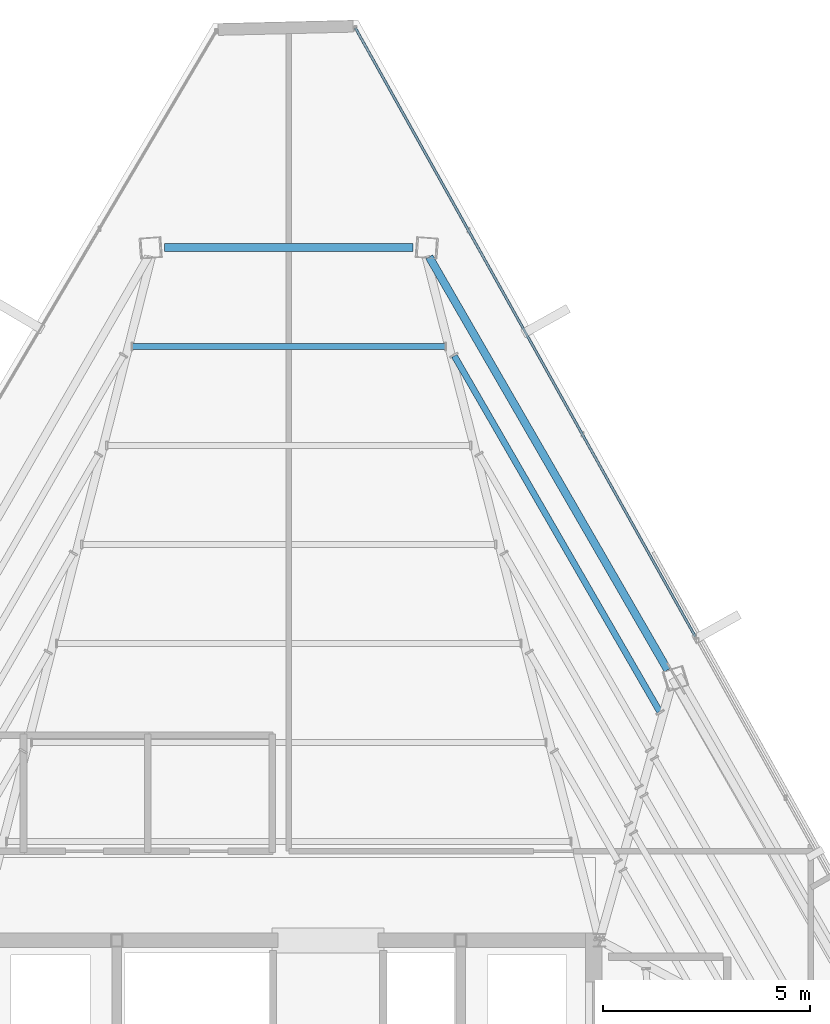
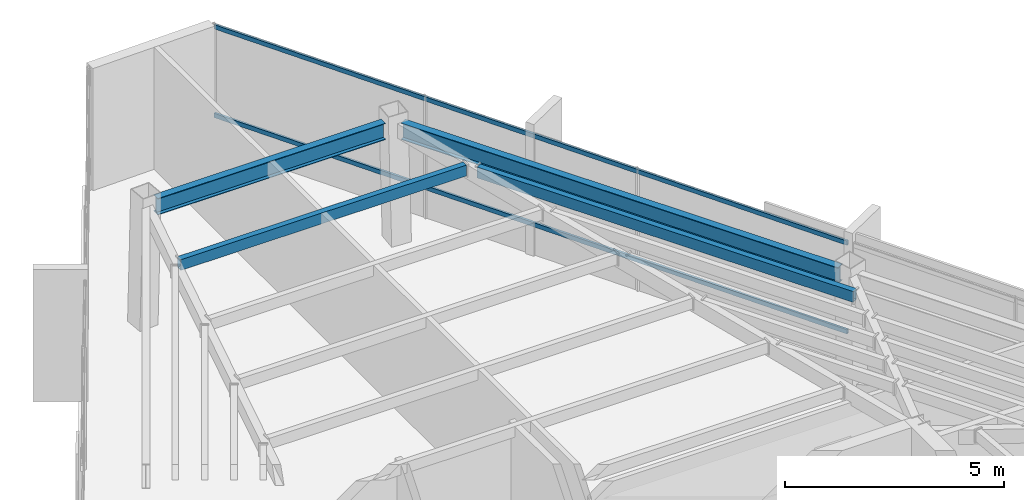
# One storey, part 36 of 48: 4 beams, 2 members, 1 element without a shape of its own.
"""IFC4 building model written with IfcOpenShell, lengths in metres."""

from ifc_helpers import new_model, si_unit, direction, frame, origin, origin_2d, place, context, subcontext, project, spatial, hollow_rectangle, i_section, extrude, source, transform, mapped, material, material_profile, profile_set, type_object, type_shapes, element, aggregate, save


model = new_model("IFC4")

# Units and contexts
model_context = context("Model", 3, precision=1e-05, world=origin(), true_north=direction((0.0, 1.0)))
body_context = subcontext(model_context, "Body", "Model", "MODEL_VIEW")
ifc_project = project(units=[si_unit("LENGTHUNIT", "METRE"), si_unit("AREAUNIT", "SQUARE_METRE"), si_unit("VOLUMEUNIT", "CUBIC_METRE"), si_unit("PLANEANGLEUNIT", "RADIAN"), si_unit("MASSUNIT", "GRAM", prefix="KILO")], contexts=[model_context])

# Site, building, storey
site_placement = place(None, origin())
site = spatial("IfcSite", under=ifc_project, at=site_placement, CompositionType="ELEMENT")
building_placement = place(site_placement, origin())
building = spatial("IfcBuilding", under=site, at=building_placement, Name="Caelisora Broadcast Tower", CompositionType="ELEMENT")
storey_placement = place(building_placement, frame((0.0, 0.0, 277.300048828125)))
storey = spatial("IfcBuildingStorey", under=building, at=storey_placement, Name="L73", CompositionType="ELEMENT", Elevation=277.300048828125)

# Beams
ifc_material_1 = material(Name="Steel Grade 350 (AS/NZS 3679.1)", Category="steel")
ifc_material_profile_1 = material_profile(ifc_material_1, i_section(OverallWidth=0.19091796875, OverallDepth=0.46044921875, WebThickness=0.010009765625, FlangeThickness=0.01611328125, at=origin_2d()), Name="Steel Grade 350 (AS/NZS 3679.1)")
ifc_profile_set_1 = profile_set([ifc_material_profile_1], Name="Steel Grade 350 (AS/NZS 3679.1)")
beam_type_1 = type_object("IfcBeamType", Name="PG06", PredefinedType="BEAM", material=ifc_profile_set_1)
shared_shape_1 = source(origin(), body_context, "Body", "SweptSolid", [
    extrude(i_section(OverallWidth=0.19091796875, OverallDepth=0.46044921875, WebThickness=0.010009765625, FlangeThickness=0.01611328125, at=origin_2d()), origin(), (0.0, 0.0, 1.0), 5.9990234375),
])
beam_1_placement = place(storey_placement, frame((40.99951171875, 46.718017578125, 3.169677734375), z_axis=(-1.0, 0.0, 0.0), x_axis=(0.0, -1.0, 0.0)))
element("IfcBeam", 1, at=beam_1_placement, inside=storey, type_object=beam_type_1, Name="L73 beam PG06", PredefinedType="BEAM", context=body_context, shape_type="MappedRepresentation", body=[
    mapped(shared_shape_1, transform((0.0, 0.0, 0.0), scale=1.0)),
])
shared_shape_2 = source(origin(), body_context, "Body", "SweptSolid", [
    extrude(i_section(OverallWidth=0.19091796875, OverallDepth=0.46044921875, WebThickness=0.010009765625, FlangeThickness=0.01611328125, at=origin_2d()), origin(), (0.0, 0.0, 1.0), 11.509521484375),
])
type_shapes(beam_type_1, [shared_shape_1, shared_shape_2])
beam_2_placement = place(storey_placement, frame((47.144287109375, 36.525146484375, 3.169677734375), z_axis=(-0.4999923725, 0.866029807479, 0.0), x_axis=(-0.866029807479, -0.4999923725, 0.0)))
element("IfcBeam", 2, at=beam_2_placement, inside=storey, type_object=beam_type_1, Name="L73 beam PG06", PredefinedType="BEAM", context=body_context, shape_type="MappedRepresentation", body=[
    mapped(shared_shape_2, transform((0.0, 0.0, 0.0), scale=1.0)),
])
ifc_material_2 = material(Name="Steel Grade 350 (AS/NZS 1163 C350L0)", Category="steel")
ifc_material_profile_2 = material_profile(ifc_material_2, hollow_rectangle(XDim=0.14990234375, YDim=0.300048828125, WallThickness=0.010009765625, at=origin_2d()), Name="Steel Grade 350 (AS/NZS 1163 C350L0)")
ifc_profile_set_2 = profile_set([ifc_material_profile_2], Name="Steel Grade 350 (AS/NZS 1163 C350L0)")
beam_type_2 = type_object("IfcBeamType", Name="SB05", PredefinedType="JOIST", material=ifc_profile_set_2)
shared_shape_3 = source(origin(), body_context, "Body", "SweptSolid", [
    extrude(hollow_rectangle(XDim=0.14990234375, YDim=0.300048828125, WallThickness=0.010009765625, at=origin_2d()), origin(), (0.0, 0.0, 1.0), 7.5302734375),
])
beam_3_placement = place(storey_placement, frame((41.76513671875, 44.32958984375, 3.25), z_axis=(-1.0, 0.0, 0.0), x_axis=(0.0, -1.0, 0.0)))
element("IfcBeam", 3, at=beam_3_placement, inside=storey, type_object=beam_type_2, Name="L73 beam SB05", PredefinedType="JOIST", context=body_context, shape_type="MappedRepresentation", body=[
    mapped(shared_shape_3, transform((0.0, 0.0, 0.0), scale=1.0)),
])
shared_shape_4 = source(origin(), body_context, "Body", "SweptSolid", [
    extrude(hollow_rectangle(XDim=0.14990234375, YDim=0.300048828125, WallThickness=0.010009765625, at=origin_2d()), origin(), (0.0, 0.0, 1.0), 9.9140625),
])
type_shapes(beam_type_2, [shared_shape_3, shared_shape_4])
beam_4_placement = place(storey_placement, frame((46.95263671875, 35.518310546875, 3.25), z_axis=(-0.499995303914, 0.866028115054, 0.0), x_axis=(-0.866028115054, -0.499995303914, 0.0)))
element("IfcBeam", 4, at=beam_4_placement, inside=storey, type_object=beam_type_2, Name="L73 beam SB05", PredefinedType="JOIST", context=body_context, shape_type="MappedRepresentation", body=[
    mapped(shared_shape_4, transform((0.0, 0.0, 0.0), scale=1.0)),
])

# Curtain wall, members
ifc_material_3 = material(Name="Unitised Aluminium and Low-E Glass Curtain Wall", Category="glass")
curtain_wall_type = type_object("IfcCurtainWallType", Name="CW-Z5", PredefinedType="NOTDEFINED", material=ifc_material_3)
curtain_wall_placement = place(storey_placement, origin())
curtain_wall = element("IfcCurtainWall", 5, at=curtain_wall_placement, inside=storey, type_object=curtain_wall_type, Name="L73 curtain wall CW-Z5", PredefinedType="NOTDEFINED")
ifc_material_4 = material(Name="Aluminium 6063-T6 Anodised Terracotta Bronze", Category="aluminium")
ifc_material_profile_3 = material_profile(ifc_material_4, hollow_rectangle(XDim=0.06005859375, YDim=0.1201171875, WallThickness=0.0029296875, at=origin_2d()), Name="Aluminium 6063-T6 Anodised Terracotta Bronze")
ifc_profile_set_3 = profile_set([ifc_material_profile_3], Name="Aluminium 6063-T6 Anodised Terracotta Bronze")
member_type = type_object("IfcMemberType", Name="CWT-03", PredefinedType="USERDEFINED", material=ifc_profile_set_3)
shared_shape_5 = source(origin(), body_context, "Body", "SweptSolid", [
    extrude(hollow_rectangle(XDim=0.06005859375, YDim=0.1201171875, WallThickness=0.0029296875, at=origin_2d()), origin(), (0.0, 0.0, 1.0), 16.817626953125),
])
type_shapes(member_type, [shared_shape_5])
member_1_placement = place(storey_placement, frame((39.609375, 52.014404296875, 0.849853515625), z_axis=(0.48763719175, -0.873046372893, 0.0), x_axis=(0.873046372893, 0.48763719175, 0.0)))
member_1 = element("IfcMember", 6, at=member_1_placement, type_object=member_type, Name="L73-CW-B01 transom #1", ObjectType="TRANSOM", PredefinedType="USERDEFINED", context=body_context, shape_type="MappedRepresentation", body=[
    mapped(shared_shape_5, transform((0.0, 0.0, 0.0), scale=1.0)),
])
member_2_placement = place(storey_placement, frame((39.609375, 52.014404296875, 3.320068359375), z_axis=(0.48763719175, -0.873046372893, 0.0), x_axis=(0.873046372893, 0.48763719175, 0.0)))
member_2 = element("IfcMember", 7, at=member_2_placement, type_object=member_type, Name="L73-CW-B01 transom #2", ObjectType="TRANSOM", PredefinedType="USERDEFINED", context=body_context, shape_type="MappedRepresentation", body=[
    mapped(shared_shape_5, transform((0.0, 0.0, 0.0), scale=1.0)),
])
aggregate(curtain_wall, [member_1, member_2])

save(model, "model.ifc")
